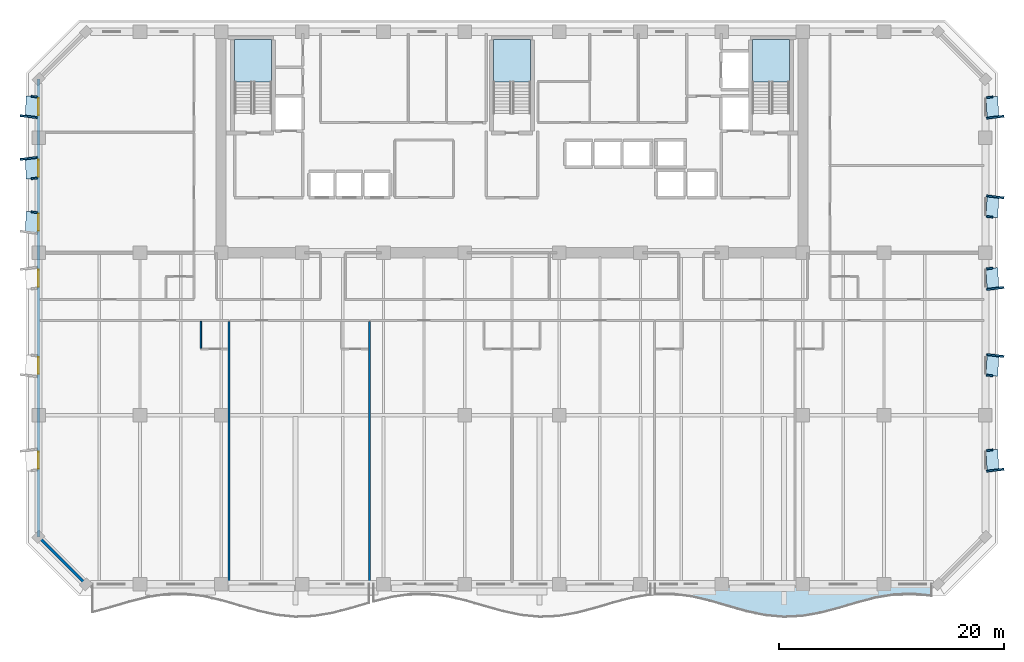
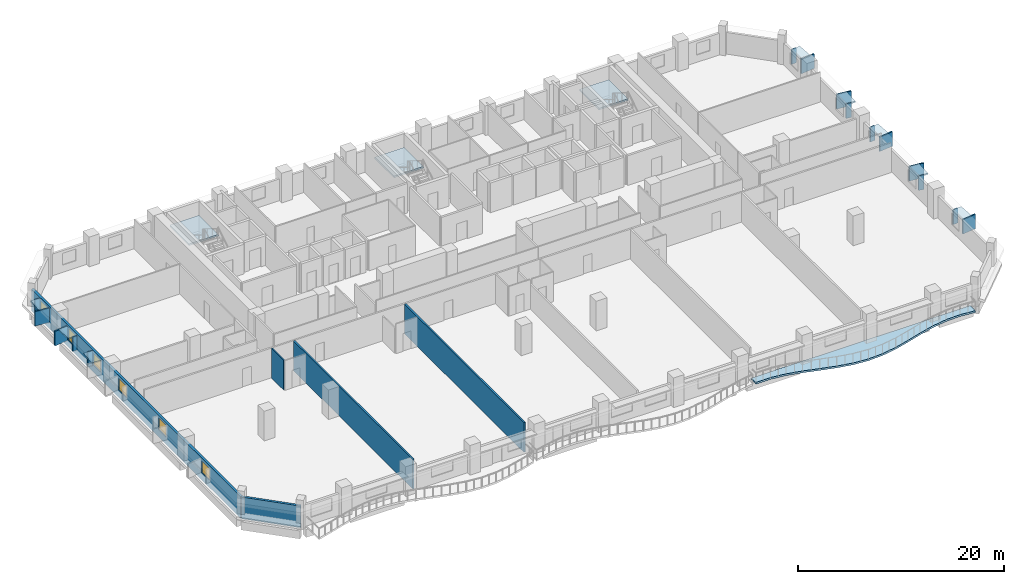
# One storey, part 3 of 15: 23 plates, 6 windows, 5 walls, 4 slabs, 6 openings, 3 elements without a shape of their own.
"""IFC4 building model written with IfcOpenShell, lengths in metres."""

from ifc_helpers import new_model, si_unit, direction, frame, frame_2d, origin, origin_2d, place, context, subcontext, project, spatial, polyline, rectangle, outline, extrude, material, layer, layer_set, type_object, element, fill, aggregate, save


model = new_model("IFC4")

# Units and contexts
model_context = context("Model", 3, precision=1e-05, world=origin(), true_north=direction((0.0, 1.0)))
body_context = subcontext(model_context, "Body", "Model", "MODEL_VIEW")
ifc_project = project(units=[si_unit("LENGTHUNIT", "METRE"), si_unit("AREAUNIT", "SQUARE_METRE"), si_unit("VOLUMEUNIT", "CUBIC_METRE"), si_unit("PLANEANGLEUNIT", "RADIAN"), si_unit("MASSUNIT", "GRAM", prefix="KILO")], contexts=[model_context])

# Site, building, storey
site_placement = place(None, origin())
site = spatial("IfcSite", under=ifc_project, at=site_placement, CompositionType="ELEMENT")
building_placement = place(site_placement, origin())
building = spatial("IfcBuilding", under=site, at=building_placement, Name="Kaelvorn Grand Hotel", CompositionType="ELEMENT")
storey_placement = place(building_placement, frame((0.0, 0.0, 108.050048828125)))
storey = spatial("IfcBuildingStorey", under=building, at=storey_placement, Name="L25", CompositionType="ELEMENT", Elevation=108.050048828125)

# Plates
ifc_material_1 = material(Name="Precast concrete C45/55", Category="concrete")
ifc_layer_1 = layer(ifc_material_1, 0.159912109375)
ifc_layer_set_1 = layer_set([ifc_layer_1], Name="Precast concrete C45/55")
plate_type_1 = type_object("IfcPlateType", Name="PL-FRAME-DEEP-1550", PredefinedType="USERDEFINED", material=ifc_layer_set_1)
for number, where, z_axis, x_axis, name in (
    (1, (84.864990234375, 10.110107421875, 0.68994140625), (0.0, 0.0, 1.0), (-0.121869343405, 0.992546151641, 0.0), "L25 Tilted Precast Window Frame Fin L-E01"),
    (2, (84.864990234375, 20.2900390625, 0.68994140625), (0.0, 0.0, 1.0), (0.121869343405, 0.992546151641, 0.0), "L25 Tilted Precast Window Frame Fin R-E02"),
    (3, (84.864990234375, 26.235107421875, 0.68994140625), (0.0, 0.0, 1.0), (-0.121869343405, 0.992546151641, 0.0), "L25 Tilted Precast Window Frame Fin L-E03"),
    (4, (84.864990234375, 34.364990234375, 0.68994140625), (0.0, 0.0, 1.0), (0.121869343405, 0.992546151641, 0.0), "L25 Tilted Precast Window Frame Fin R-E04"),
    (5, (84.864990234375, 41.425048828125, 0.68994140625), (0.0, 0.0, 1.0), (-0.121869343405, 0.992546151641, 0.0), "L25 Tilted Precast Window Frame Fin L-E05"),
    (6, (-0.864990234375, 37.77490234375, 0.68994140625), (0.0, 0.0, 1.0), (-0.121869343405, 0.992546151641, 0.0), "L25 Tilted Precast Window Frame Fin R-W05"),
    (7, (-0.864990234375, 41.47509765625, 0.68994140625), (0.0, 0.0, 1.0), (0.121869343405, 0.992546151641, 0.0), "L25 Tilted Precast Window Frame Fin L-W06"),
):
    element("IfcPlate", number, at=place(storey_placement, frame(where, z_axis=z_axis, x_axis=x_axis)), inside=storey, type_object=plate_type_1, Name=name, ObjectType="FLANGE_PLATE", PredefinedType="USERDEFINED", context=body_context, shape_type="SweptSolid", body=[
        extrude(rectangle(XDim=0.159912109375, YDim=1.550048828125, at=origin_2d()), origin(), (0.0, 0.0, 1.0), 1.719970703125),
    ])
ifc_layer_2 = layer(ifc_material_1, 0.159912109375)
ifc_layer_set_2 = layer_set([ifc_layer_2], Name="Precast concrete C45/55")
plate_type_2 = type_object("IfcPlateType", Name="PL-FRAME-HEAD-1050", PredefinedType="USERDEFINED", material=ifc_layer_set_2)
for number, where, z_axis, x_axis, name in (
    (8, (84.614990234375, 11.0, 2.25), (0.0, 0.0, 1.0), (-0.054950179912, 0.998489097451, 0.0), "L25 Precast Window Frame Head Hood H-E01"),
    (9, (84.614990234375, 19.39990234375, 2.25), (0.0, 0.0, 1.0), (0.054950179912, 0.998489097451, 0.0), "L25 Precast Window Frame Head Hood H-E02"),
    (10, (84.614990234375, 27.125, 2.25), (0.0, 0.0, 1.0), (-0.054950179912, 0.998489097451, 0.0), "L25 Precast Window Frame Head Hood H-E03"),
    (11, (84.614990234375, 33.47509765625, 2.25), (0.0, 0.0, 1.0), (0.054950179912, 0.998489097451, 0.0), "L25 Precast Window Frame Head Hood H-E04"),
    (12, (84.614990234375, 42.31494140625, 2.25), (0.0, 0.0, 1.0), (-0.054950179912, 0.998489097451, 0.0), "L25 Precast Window Frame Head Hood H-E05"),
    (13, (-0.614990234375, 32.114990234375, 2.25), (0.0, 0.0, 1.0), (0.054950179912, 0.998489097451, 0.0), "L25 Precast Window Frame Head Hood H-W04"),
    (14, (-0.614990234375, 36.885009765625, 2.25), (0.0, 0.0, 1.0), (-0.054950179912, 0.998489097451, 0.0), "L25 Precast Window Frame Head Hood H-W05"),
    (15, (-0.614990234375, 42.364990234375, 2.25), (0.0, 0.0, 1.0), (0.054950179912, 0.998489097451, 0.0), "L25 Precast Window Frame Head Hood H-W06"),
):
    element("IfcPlate", number, at=place(storey_placement, frame(where, z_axis=z_axis, x_axis=x_axis)), inside=storey, type_object=plate_type_2, Name=name, ObjectType="FLANGE_PLATE", PredefinedType="USERDEFINED", context=body_context, shape_type="SweptSolid", body=[
        extrude(rectangle(XDim=1.860107421875, YDim=1.050048828125, at=origin_2d()), origin(), (0.0, 0.0, 1.0), 0.159912109375),
    ])
ifc_layer_3 = layer(ifc_material_1, 0.159912109375)
ifc_layer_set_3 = layer_set([ifc_layer_3], Name="Precast concrete C45/55")
plate_type_3 = type_object("IfcPlateType", Name="PL-FRAME-SHAL-550", PredefinedType="USERDEFINED", material=ifc_layer_set_3)
for number, where, z_axis, x_axis, name in (
    (16, (84.364990234375, 11.889892578125, 0.68994140625), (0.0, 0.0, 1.0), (-0.121869343405, 0.992546151641, 0.0), "L25 Tilted Precast Window Frame Fin R-E01"),
    (17, (84.364990234375, 18.510009765625, 0.68994140625), (0.0, 0.0, 1.0), (0.121869343405, 0.992546151641, 0.0), "L25 Tilted Precast Window Frame Fin L-E02"),
    (18, (84.364990234375, 28.014892578125, 0.68994140625), (0.0, 0.0, 1.0), (-0.121869343405, 0.992546151641, 0.0), "L25 Tilted Precast Window Frame Fin R-E03"),
    (19, (84.364990234375, 32.5849609375, 0.68994140625), (0.0, 0.0, 1.0), (0.121869343405, 0.992546151641, 0.0), "L25 Tilted Precast Window Frame Fin L-E04"),
    (20, (84.364990234375, 43.205078125, 0.68994140625), (0.0, 0.0, 1.0), (-0.121869343405, 0.992546151641, 0.0), "L25 Tilted Precast Window Frame Fin R-E05"),
    (21, (-0.364990234375, 33.0048828125, 0.68994140625), (0.0, 0.0, 1.0), (0.121869343405, 0.992546151641, 0.0), "L25 Tilted Precast Window Frame Fin R-W04"),
    (22, (-0.364990234375, 35.9951171875, 0.68994140625), (0.0, 0.0, 1.0), (-0.121869343405, 0.992546151641, 0.0), "L25 Tilted Precast Window Frame Fin L-W05"),
    (23, (-0.364990234375, 43.2548828125, 0.68994140625), (0.0, 0.0, 1.0), (0.121869343405, 0.992546151641, 0.0), "L25 Tilted Precast Window Frame Fin R-W06"),
):
    element("IfcPlate", number, at=place(storey_placement, frame(where, z_axis=z_axis, x_axis=x_axis)), inside=storey, type_object=plate_type_3, Name=name, ObjectType="FLANGE_PLATE", PredefinedType="USERDEFINED", context=body_context, shape_type="SweptSolid", body=[
        extrude(rectangle(XDim=0.159912109375, YDim=0.550048828125, at=origin_2d()), origin(), (0.0, 0.0, 1.0), 1.719970703125),
    ])

# Slab
ifc_material_2 = material(Name="Concrete C40/50", Category="concrete")
ifc_layer_4 = layer(ifc_material_2, 0.219970703125)
ifc_layer_set_4 = layer_set([ifc_layer_4], Name="Concrete C40/50")
slab_type_1 = type_object("IfcSlabType", Name="SLB-BALC-220-C40", PredefinedType="FLOOR", material=ifc_layer_set_4)
slab_1_placement = place(storey_placement, frame((0.0, 0.0, -0.219970703125)))
element("IfcSlab", 24, at=slab_1_placement, inside=storey, type_object=slab_type_1, Name="L25 Scalloped Wave Balcony Slab 3", PredefinedType="FLOOR", context=body_context, shape_type="SweptSolid", body=[
    extrude(outline(polyline([(54.666748046875, -0.884521484375), (56.30224609375, -0.873779296875), (57.937744140625, -1.08544921875), (59.5732421875, -1.47265625), (61.208984375, -1.94921875), (62.844482421875, -2.4091796875), (64.47998046875, -2.75048828125), (66.115478515625, -2.8974609375), (67.751220703125, -2.817138671875), (69.38671875, -2.52783203125), (71.022216796875, -2.09326171875), (72.65771484375, -1.6103515625), (74.293212890625, -1.186279296875), (75.928955078125, -0.9150390625), (77.564453125, -0.857177734375), (79.199951171875, -1.025146484375), (79.199951171875, 0.0), (54.666748046875, 0.0), (54.666748046875, -0.884521484375)])), origin(), (0.0, 0.0, 1.0), 0.219970703125),
])

# Stair, slab
stair_type = type_object("IfcStairType", Name="STR-DOG-1560-R06", PredefinedType="HALF_TURN_STAIR", material=ifc_material_2)
stair_1_placement = place(storey_placement, origin())
stair_1 = element("IfcStair", 25, at=stair_1_placement, inside=storey, type_object=stair_type, Name="L25 West Core Exit Stair ST1", PredefinedType="HALF_TURN_STAIR")
ifc_layer_5 = layer(ifc_material_2, 0.199951171875)
ifc_layer_set_5 = layer_set([ifc_layer_5], Name="Concrete C40/50")
slab_type_2 = type_object("IfcSlabType", Name="SLB-LAND-200-C40", PredefinedType="LANDING", material=ifc_layer_set_5)
slab_2_placement = place(storey_placement, frame((0.0, 0.0, 1.675048828125)))
slab_2 = element("IfcSlab", 26, at=slab_2_placement, type_object=slab_type_2, Name="ST1 landing 1", PredefinedType="LANDING", context=body_context, shape_type="SweptSolid", body=[
    extrude(outline(polyline([(20.679931640625, 44.56005859375), (20.679931640625, 48.300048828125), (17.39990234375, 48.300048828125), (17.39990234375, 44.56005859375), (20.679931640625, 44.56005859375)])), origin(), (0.0, 0.0, 1.0), 0.199951171875),
])
aggregate(stair_1, [slab_2])

stair_2_placement = place(storey_placement, origin())
stair_2 = element("IfcStair", 27, at=stair_2_placement, inside=storey, type_object=stair_type, Name="L25 Central Core Exit Stair ST2", PredefinedType="HALF_TURN_STAIR")
slab_3_placement = place(storey_placement, frame((0.0, 0.0, 1.675048828125)))
slab_3 = element("IfcSlab", 28, at=slab_3_placement, type_object=slab_type_2, Name="ST2 landing 1", PredefinedType="LANDING", context=body_context, shape_type="SweptSolid", body=[
    extrude(outline(polyline([(43.639892578125, 44.56005859375), (43.639892578125, 48.300048828125), (40.360107421875, 48.300048828125), (40.360107421875, 44.56005859375), (43.639892578125, 44.56005859375)])), origin(), (0.0, 0.0, 1.0), 0.199951171875),
])
aggregate(stair_2, [slab_3])

stair_3_placement = place(storey_placement, origin())
stair_3 = element("IfcStair", 29, at=stair_3_placement, inside=storey, type_object=stair_type, Name="L25 East Core Exit Stair ST3", PredefinedType="HALF_TURN_STAIR")
slab_4_placement = place(storey_placement, frame((0.0, 0.0, 1.675048828125)))
slab_4 = element("IfcSlab", 30, at=slab_4_placement, type_object=slab_type_2, Name="ST3 landing 1", PredefinedType="LANDING", context=body_context, shape_type="SweptSolid", body=[
    extrude(outline(polyline([(66.60009765625, 44.56005859375), (66.60009765625, 48.300048828125), (63.320068359375, 48.300048828125), (63.320068359375, 44.56005859375), (66.60009765625, 44.56005859375)])), origin(), (0.0, 0.0, 1.0), 0.199951171875),
])
aggregate(stair_3, [slab_4])

# Wall, openings, windows
ifc_layer_6 = layer(ifc_material_2, 0.260009765625)
ifc_layer_set_6 = layer_set([ifc_layer_6], Name="Concrete C40/50")
wall_type_1 = type_object("IfcWallType", Name="WL-EXT-260-C40", PredefinedType="SOLIDWALL", material=ifc_layer_set_6)
wall_1_placement = place(storey_placement, frame((0.0, 44.800048828125, 0.0), z_axis=(0.0, 0.0, 1.0), x_axis=(0.0, -1.0, 0.0)))
wall_1 = element("IfcWall", 31, at=wall_1_placement, inside=storey, type_object=wall_type_1, Name="L25 Exterior Architectural Concrete Wall 07", PredefinedType="SOLIDWALL", context=body_context, shape_type="SweptSolid", body=[
    extrude(rectangle(XDim=40.60009765625, YDim=0.260009765625, at=frame_2d((20.300048828125, 0.0))), origin(), (0.0, 0.0, 1.0), 2.56005859375),
])
opening_1_placement = place(wall_1_placement, frame((33.050048828125, 0.0, 0.85009765625)))
opening_1 = element("IfcOpeningElement", 32, at=opening_1_placement, cuts=wall_1, Name="Opening W10", PredefinedType="OPENING", context=body_context, shape_type="SweptSolid", body=[
    extrude(rectangle(XDim=1.5, YDim=1.39990234375, at=frame_2d((0.75, 0.699951171875))), frame((0.0, 0.14013671875, 0.0), z_axis=(0.0, -1.0, 0.0), x_axis=(1.0, 0.0, 0.0)), (0.0, 0.0, 1.0), 0.280029296875),
])
opening_2_placement = place(wall_1_placement, frame((24.64990234375, 0.0, 0.85009765625)))
opening_2 = element("IfcOpeningElement", 33, at=opening_2_placement, cuts=wall_1, Name="Opening W10", PredefinedType="OPENING", context=body_context, shape_type="SweptSolid", body=[
    extrude(rectangle(XDim=1.5, YDim=1.39990234375, at=frame_2d((0.75, 0.699951171875))), frame((0.0, 0.14013671875, 0.0), z_axis=(0.0, -1.0, 0.0), x_axis=(1.0, 0.0, 0.0)), (0.0, 0.0, 1.0), 0.280029296875),
])
opening_3_placement = place(wall_1_placement, frame((16.925048828125, 0.0, 0.85009765625)))
opening_3 = element("IfcOpeningElement", 34, at=opening_3_placement, cuts=wall_1, Name="Opening W10", PredefinedType="OPENING", context=body_context, shape_type="SweptSolid", body=[
    extrude(rectangle(XDim=1.5, YDim=1.39990234375, at=frame_2d((0.75, 0.699951171875))), frame((0.0, 0.14013671875, 0.0), z_axis=(0.0, -1.0, 0.0), x_axis=(1.0, 0.0, 0.0)), (0.0, 0.0, 1.0), 0.280029296875),
])
opening_4_placement = place(wall_1_placement, frame((11.93505859375, 0.0, 0.85009765625)))
opening_4 = element("IfcOpeningElement", 35, at=opening_4_placement, cuts=wall_1, Name="Opening W10", PredefinedType="OPENING", context=body_context, shape_type="SweptSolid", body=[
    extrude(rectangle(XDim=1.5, YDim=1.39990234375, at=frame_2d((0.75, 0.699951171875))), frame((0.0, 0.14013671875, 0.0), z_axis=(0.0, -1.0, 0.0), x_axis=(1.0, 0.0, 0.0)), (0.0, 0.0, 1.0), 0.280029296875),
])
opening_5_placement = place(wall_1_placement, frame((7.1650390625, 0.0, 0.85009765625)))
opening_5 = element("IfcOpeningElement", 36, at=opening_5_placement, cuts=wall_1, Name="Opening W10", PredefinedType="OPENING", context=body_context, shape_type="SweptSolid", body=[
    extrude(rectangle(XDim=1.5, YDim=1.39990234375, at=frame_2d((0.75, 0.699951171875))), frame((0.0, 0.14013671875, 0.0), z_axis=(0.0, -1.0, 0.0), x_axis=(1.0, 0.0, 0.0)), (0.0, 0.0, 1.0), 0.280029296875),
])
opening_6_placement = place(wall_1_placement, frame((1.68505859375, 0.0, 0.85009765625)))
opening_6 = element("IfcOpeningElement", 37, at=opening_6_placement, cuts=wall_1, Name="Opening W10", PredefinedType="OPENING", context=body_context, shape_type="SweptSolid", body=[
    extrude(rectangle(XDim=1.5, YDim=1.39990234375, at=frame_2d((0.75, 0.699951171875))), frame((0.0, 0.14013671875, 0.0), z_axis=(0.0, -1.0, 0.0), x_axis=(1.0, 0.0, 0.0)), (0.0, 0.0, 1.0), 0.280029296875),
])
ifc_material_3 = material(Name="Laminated Low-E Glass", Category="glass")
window_type = type_object("IfcWindowType", Name="WIN-COR-1500x1400", PartitioningType="SINGLE_PANEL", PredefinedType="WINDOW", material=ifc_material_3)
window_1_placement = place(opening_1_placement, origin())
window_1 = element("IfcWindow", 38, at=window_1_placement, inside=storey, type_object=window_type, Name="L25 W Wing Tilted-Frame Ribbon Window W01", OverallHeight=1.39990234375, OverallWidth=1.5, PartitioningType="SINGLE_PANEL", PredefinedType="WINDOW", context=body_context, shape_type="SweptSolid", body=[
    extrude(rectangle(XDim=1.5, YDim=1.39990234375, at=frame_2d((0.75, 0.699951171875))), frame((0.0, 0.030029296875, 0.0), z_axis=(0.0, -1.0, 0.0), x_axis=(1.0, 0.0, 0.0)), (0.0, 0.0, 1.0), 0.06005859375),
])
fill(opening_1, window_1)
window_2_placement = place(opening_2_placement, origin())
window_2 = element("IfcWindow", 39, at=window_2_placement, inside=storey, type_object=window_type, Name="L25 W Wing Tilted-Frame Ribbon Window W02", OverallHeight=1.39990234375, OverallWidth=1.5, PartitioningType="SINGLE_PANEL", PredefinedType="WINDOW", context=body_context, shape_type="SweptSolid", body=[
    extrude(rectangle(XDim=1.5, YDim=1.39990234375, at=frame_2d((0.75, 0.699951171875))), frame((0.0, 0.030029296875, 0.0), z_axis=(0.0, -1.0, 0.0), x_axis=(1.0, 0.0, 0.0)), (0.0, 0.0, 1.0), 0.06005859375),
])
fill(opening_2, window_2)
window_3_placement = place(opening_3_placement, origin())
window_3 = element("IfcWindow", 40, at=window_3_placement, inside=storey, type_object=window_type, Name="L25 W Wing Tilted-Frame Ribbon Window W03", OverallHeight=1.39990234375, OverallWidth=1.5, PartitioningType="SINGLE_PANEL", PredefinedType="WINDOW", context=body_context, shape_type="SweptSolid", body=[
    extrude(rectangle(XDim=1.5, YDim=1.39990234375, at=frame_2d((0.75, 0.699951171875))), frame((0.0, 0.030029296875, 0.0), z_axis=(0.0, -1.0, 0.0), x_axis=(1.0, 0.0, 0.0)), (0.0, 0.0, 1.0), 0.06005859375),
])
fill(opening_3, window_3)
window_4_placement = place(opening_4_placement, origin())
window_4 = element("IfcWindow", 41, at=window_4_placement, inside=storey, type_object=window_type, Name="L25 W Wing Tilted-Frame Ribbon Window W04", OverallHeight=1.39990234375, OverallWidth=1.5, PartitioningType="SINGLE_PANEL", PredefinedType="WINDOW", context=body_context, shape_type="SweptSolid", body=[
    extrude(rectangle(XDim=1.5, YDim=1.39990234375, at=frame_2d((0.75, 0.699951171875))), frame((0.0, 0.030029296875, 0.0), z_axis=(0.0, -1.0, 0.0), x_axis=(1.0, 0.0, 0.0)), (0.0, 0.0, 1.0), 0.06005859375),
])
fill(opening_4, window_4)
window_5_placement = place(opening_5_placement, origin())
window_5 = element("IfcWindow", 42, at=window_5_placement, inside=storey, type_object=window_type, Name="L25 W Wing Tilted-Frame Ribbon Window W05", OverallHeight=1.39990234375, OverallWidth=1.5, PartitioningType="SINGLE_PANEL", PredefinedType="WINDOW", context=body_context, shape_type="SweptSolid", body=[
    extrude(rectangle(XDim=1.5, YDim=1.39990234375, at=frame_2d((0.75, 0.699951171875))), frame((0.0, 0.030029296875, 0.0), z_axis=(0.0, -1.0, 0.0), x_axis=(1.0, 0.0, 0.0)), (0.0, 0.0, 1.0), 0.06005859375),
])
fill(opening_5, window_5)
window_6_placement = place(opening_6_placement, origin())
window_6 = element("IfcWindow", 43, at=window_6_placement, inside=storey, type_object=window_type, Name="L25 W Wing Tilted-Frame Ribbon Window W06", OverallHeight=1.39990234375, OverallWidth=1.5, PartitioningType="SINGLE_PANEL", PredefinedType="WINDOW", context=body_context, shape_type="SweptSolid", body=[
    extrude(rectangle(XDim=1.5, YDim=1.39990234375, at=frame_2d((0.75, 0.699951171875))), frame((0.0, 0.030029296875, 0.0), z_axis=(0.0, -1.0, 0.0), x_axis=(1.0, 0.0, 0.0)), (0.0, 0.0, 1.0), 0.06005859375),
])
fill(opening_6, window_6)

# Walls
wall_2_placement = place(storey_placement, frame((0.0, 4.199951171875, 0.0), z_axis=(0.0, 0.0, 1.0), x_axis=(0.707106781187, -0.707106781187, 0.0)))
element("IfcWall", 44, at=wall_2_placement, inside=storey, type_object=wall_type_1, Name="L25 Exterior Architectural Concrete Wall 08", PredefinedType="SOLIDWALL", context=body_context, shape_type="SweptSolid", body=[
    extrude(rectangle(XDim=5.939697265625, YDim=0.260009765625, at=frame_2d((2.9697265625, 0.0))), origin(), (0.0, 0.0, 1.0), 2.56005859375),
])
ifc_material_4 = material(Name="Moisture-Resistant Tile & Stud Board")
ifc_layer_7 = layer(ifc_material_4, 0.125)
ifc_layer_set_7 = layer_set([ifc_layer_7], Name="Moisture-Resistant Tile & Stud Board")
wall_type_2 = type_object("IfcWallType", Name="WL-PART-125-WET", PredefinedType="PARTITIONING", material=ifc_layer_set_7)
wall_3_placement = place(storey_placement, frame((14.399658203125, 20.91748046875, 0.0), z_axis=(0.0, 0.0, 1.0), x_axis=(0.0, 1.0, 0.0)))
element("IfcWall", 45, at=wall_3_placement, inside=storey, type_object=wall_type_2, Name="L25 En-suite Bathroom L25-01 W Partition", PredefinedType="PARTITIONING", context=body_context, shape_type="SweptSolid", body=[
    extrude(rectangle(XDim=2.387451171875, YDim=0.125, at=frame_2d((1.19384765625, 0.0))), origin(), (0.0, 0.0, 1.0), 3.510009765625),
])
ifc_material_5 = material(Name="Acoustic Gypsum & Stud Partition")
ifc_layer_8 = layer(ifc_material_5, 0.179931640625)
ifc_layer_set_8 = layer_set([ifc_layer_8], Name="Acoustic Gypsum & Stud Partition")
wall_type_3 = type_object("IfcWallType", Name="WL-PART-180-EI60", PredefinedType="PARTITIONING", material=ifc_layer_set_8)
for number, where, z_axis, x_axis, name in (
    (46, (16.899658203125, 0.14990234375, 0.0), (0.0, 0.0, 1.0), (0.0, 1.0, 0.0), "L25 Presidential Sky Suite L25-01 E Partition"),
    (47, (29.349609375, 0.14990234375, 0.0), (0.0, 0.0, 1.0), (0.0, 1.0, 0.0), "L25 Presidential Sky Suite L25-02 E Partition"),
):
    element("IfcWall", number, at=place(storey_placement, frame(where, z_axis=z_axis, x_axis=x_axis)), inside=storey, type_object=wall_type_3, Name=name, PredefinedType="PARTITIONING", context=body_context, shape_type="SweptSolid", body=[
        extrude(rectangle(XDim=23.155029296875, YDim=0.179931640625, at=frame_2d((11.57763671875, 0.0))), origin(), (0.0, 0.0, 1.0), 3.510009765625),
    ])

save(model, "model.ifc")
